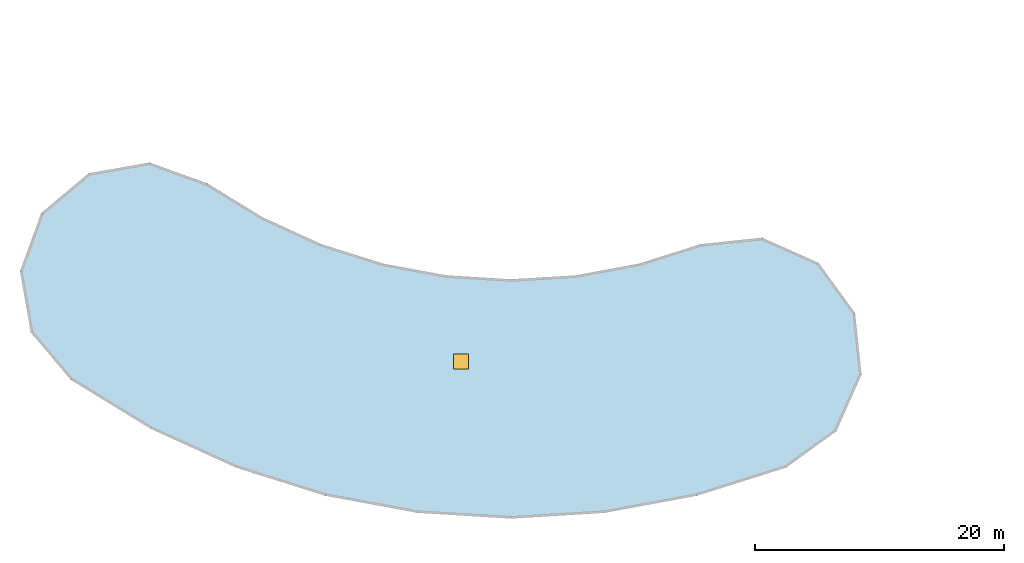
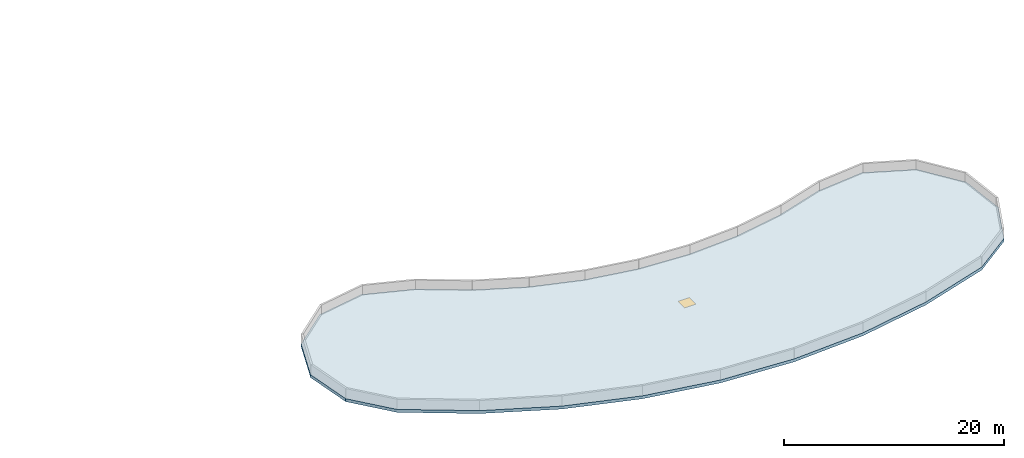
# One storey, part 15 of 26: 1 door, 1 slab, 1 opening.
"""IFC4 building model written with IfcOpenShell, lengths in metres."""

from ifc_helpers import new_model, si_unit, direction, frame, origin, origin_2d, place, context, subcontext, project, spatial, polyline, rectangle, outline, extrude, material, layer, layer_set, type_object, element, fill, save


model = new_model("IFC4")

# Units and contexts
model_context = context("Model", 3, precision=1e-05, world=origin(), true_north=direction((0.0, 1.0)))
body_context = subcontext(model_context, "Body", "Model", "MODEL_VIEW")
ifc_project = project(units=[si_unit("LENGTHUNIT", "METRE"), si_unit("AREAUNIT", "SQUARE_METRE"), si_unit("VOLUMEUNIT", "CUBIC_METRE"), si_unit("PLANEANGLEUNIT", "RADIAN"), si_unit("MASSUNIT", "GRAM", prefix="KILO")], contexts=[model_context])

# Site, building, storey
site_placement = place(None, origin())
site = spatial("IfcSite", under=ifc_project, at=site_placement, CompositionType="ELEMENT")
building_placement = place(site_placement, origin())
building = spatial("IfcBuilding", under=site, at=building_placement, Name="Tarnwether General Hospital", CompositionType="ELEMENT")
storey_placement = place(building_placement, frame((0.0, 0.0, 30.0)))
storey = spatial("IfcBuildingStorey", under=building, at=storey_placement, Name="L07", CompositionType="ELEMENT", Elevation=30.0)

# Slab, opening, door
ifc_material_1 = material(Name="Concrete 40 MPa", Category="concrete")
ifc_layer = layer(ifc_material_1, 0.330078125)
ifc_layer_set = layer_set([ifc_layer], Name="Concrete 40 MPa")
slab_type = type_object("IfcSlabType", Name="SL-RF200", PredefinedType="ROOF", material=ifc_layer_set)
slab_placement = place(storey_placement, origin())
slab = element("IfcSlab", 1, at=slab_placement, inside=storey, type_object=slab_type, Name="L07 South-East Curved Ward Roof SL-L07-WSERF", PredefinedType="ROOF", context=body_context, shape_type="SweptSolid", body=[
    extrude(outline(polyline([(56.66796875, 12.5400390625), (63.0810546875, 8.610107421875), (69.925048828125, 5.490966796875), (77.097900390625, 3.22998046875), (84.492919921875, 1.85888671875), (92.0, 1.39990234375), (99.507080078125, 1.85888671875), (106.902099609375, 3.22998046875), (114.074951171875, 5.490966796875), (118.095947265625, 8.412109375), (120.116943359375, 12.951904296875), (119.597900390625, 17.89404296875), (116.677001953125, 21.9140625), (112.136962890625, 23.93603515625), (107.195068359375, 23.416015625), (102.257080078125, 21.85888671875), (97.1669921875, 20.916015625), (92.0, 20.60009765625), (86.8330078125, 20.916015625), (81.742919921875, 21.85888671875), (76.804931640625, 23.416015625), (72.093994140625, 25.56298828125), (67.679931640625, 28.26806640625), (63.010986328125, 29.968017578125), (58.116943359375, 29.10498046875), (54.31005859375, 25.909912109375), (52.611083984375, 21.240966796875), (53.472900390625, 16.346923828125), (56.66796875, 12.5400390625)])), origin(), (0.0, 0.0, 1.0), 0.330078125),
])
opening_placement = place(slab_placement, frame((88.0, 14.0, 0.0)))
opening = element("IfcOpeningElement", 2, at=opening_placement, cuts=slab, Name="Opening RH-01", PredefinedType="OPENING", context=body_context, shape_type="SweptSolid", body=[
    extrude(rectangle(XDim=1.199951171875, YDim=1.199951171875, at=origin_2d()), origin(), (0.0, 0.0, 1.0), 0.330078125),
])
ifc_material_2 = material(Name="Anodised aluminium", Category="aluminium")
door_type = type_object("IfcDoorType", Name="DR-HT01", OperationType="NOTDEFINED", PredefinedType="TRAPDOOR", material=ifc_material_2)
door_placement = place(opening_placement, frame((0.0, 0.0, 0.280029296875)))
door = element("IfcDoor", 3, at=door_placement, inside=storey, type_object=door_type, Name="Roof Maintenance Access Hatch 005", OperationType="SINGLE_SWING_LEFT", OverallHeight=1.199951171875, OverallWidth=1.199951171875, PredefinedType="TRAPDOOR", context=body_context, shape_type="SweptSolid", body=[
    extrude(rectangle(XDim=1.199951171875, YDim=1.199951171875, at=origin_2d()), origin(), (0.0, 0.0, 1.0), 0.050048828125),
])
fill(opening, door)

save(model, "model.ifc")
